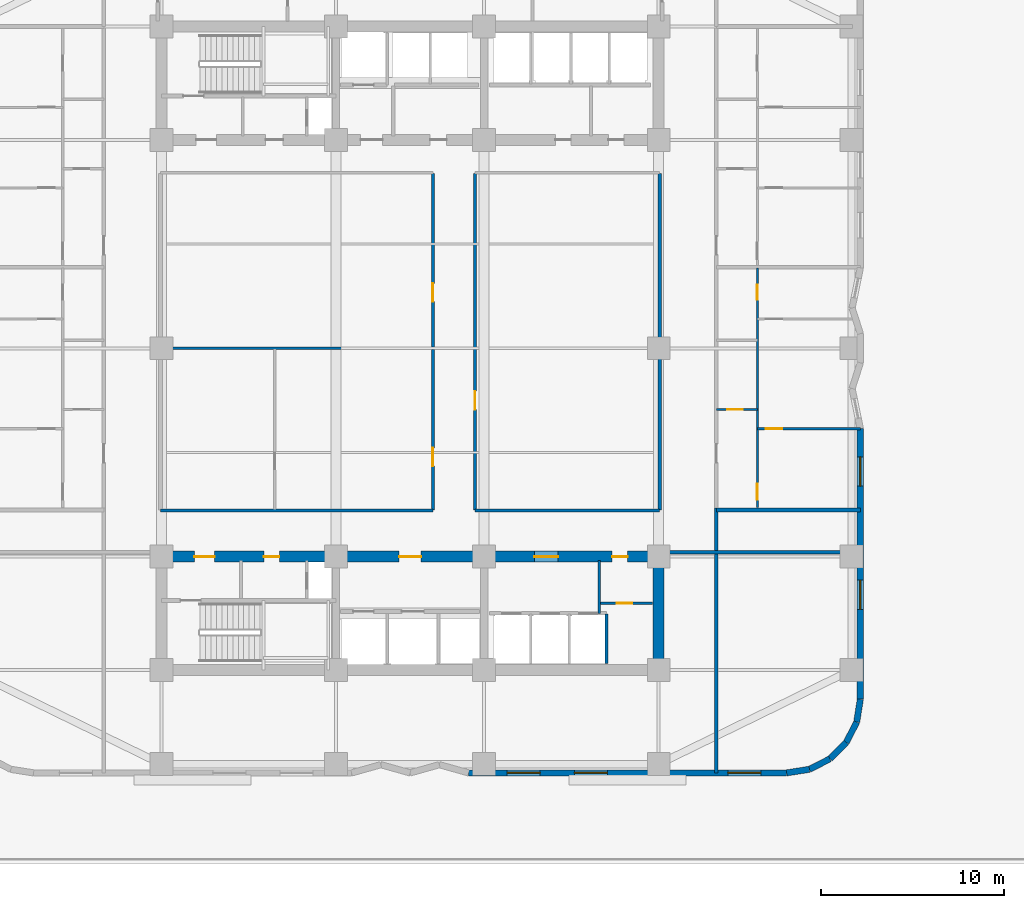
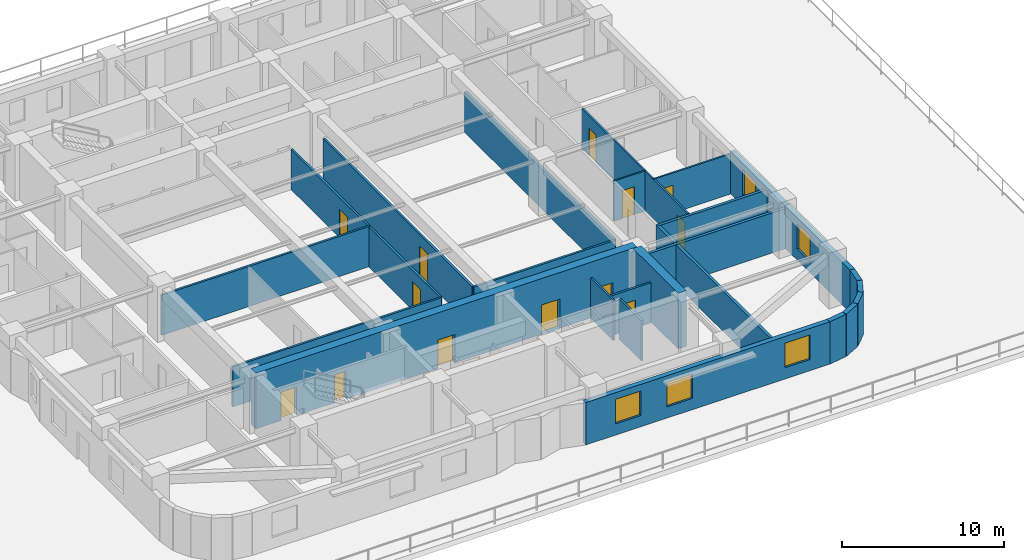
# One storey, part 4 of 11: 24 walls, 13 doors, 5 windows, 18 openings.
"""IFC4 building model written with IfcOpenShell, lengths in metres."""

from ifc_helpers import new_model, si_unit, direction, frame, frame_2d, origin, place, context, subcontext, project, spatial, rectangle, extrude, material, layer, layer_set, type_object, element, fill, save


model = new_model("IFC4")

# Units and contexts
model_context = context("Model", 3, precision=1e-05, world=origin(), true_north=direction((0.0, 1.0)))
body_context = subcontext(model_context, "Body", "Model", "MODEL_VIEW")
ifc_project = project(units=[si_unit("LENGTHUNIT", "METRE"), si_unit("AREAUNIT", "SQUARE_METRE"), si_unit("VOLUMEUNIT", "CUBIC_METRE"), si_unit("PLANEANGLEUNIT", "RADIAN"), si_unit("MASSUNIT", "GRAM", prefix="KILO")], contexts=[model_context])

# Site, building, storey
site_placement = place(None, origin())
site = spatial("IfcSite", under=ifc_project, at=site_placement, CompositionType="ELEMENT")
building_placement = place(site_placement, origin())
building = spatial("IfcBuilding", under=site, at=building_placement, Name="Svetorya Sky Lyceum", CompositionType="ELEMENT")
storey_placement = place(building_placement, frame((0.0, 0.0, 24.60009765625)))
storey = spatial("IfcBuildingStorey", under=building, at=storey_placement, Name="L05", CompositionType="ELEMENT", Elevation=24.60009765625)

# Wall
ifc_material_1 = material(Name="Concrete C60/75", Category="concrete")
ifc_layer_1 = layer(ifc_material_1, 0.60009765625)
ifc_layer_set_1 = layer_set([ifc_layer_1], Name="Concrete C60/75")
wall_type_1 = type_object("IfcWallType", Name="WL-CORE-600", PredefinedType="SHEAR", material=ifc_layer_set_1)
wall_1_placement = place(storey_placement, frame((52.800048828125, 10.89990234375, 0.0), z_axis=(0.0, 0.0, 1.0), x_axis=(0.0, 1.0, 0.0)))
element("IfcWall", 1, at=wall_1_placement, inside=storey, type_object=wall_type_1, Name="L05 SC East Core Shear Wall", PredefinedType="SHEAR", context=body_context, shape_type="SweptSolid", body=[
    extrude(rectangle(XDim=5.60009765625, YDim=0.60009765625, at=frame_2d((2.800048828125, 0.0))), origin(), (0.0, 0.0, 1.0), 4.199951171875),
])

# Wall, openings, doors
wall_2_placement = place(storey_placement, frame((25.60009765625, 16.800048828125, 0.0), z_axis=(0.0, 0.0, 1.0), x_axis=(1.0, 0.0, 0.0)))
wall_2 = element("IfcWall", 2, at=wall_2_placement, inside=storey, type_object=wall_type_1, Name="L05 SC Inner Core Shear Wall", PredefinedType="SHEAR", context=body_context, shape_type="SweptSolid", body=[
    extrude(rectangle(XDim=27.199951171875, YDim=0.60009765625, at=frame_2d((13.60009765625, 0.0))), origin(), (0.0, 0.0, 1.0), 4.199951171875),
])
opening_1_placement = place(wall_2_placement, frame((1.800048828125, 0.0, 0.0)))
opening_1 = element("IfcOpeningElement", 3, at=opening_1_placement, cuts=wall_2, Name="Opening D-ST1", PredefinedType="OPENING", context=body_context, shape_type="SweptSolid", body=[
    extrude(rectangle(XDim=1.10009765625, YDim=2.14990234375, at=frame_2d((0.550048828125, 1.074951171875))), frame((0.0, 0.31005859375, 0.0), z_axis=(0.0, -1.0, 0.0), x_axis=(1.0, 0.0, 0.0)), (0.0, 0.0, 1.0), 0.6201171875),
])
opening_2_placement = place(wall_2_placement, frame((5.60009765625, 0.0, 0.0)))
opening_2 = element("IfcOpeningElement", 4, at=opening_2_placement, cuts=wall_2, Name="Opening D-CWC1", PredefinedType="OPENING", context=body_context, shape_type="SweptSolid", body=[
    extrude(rectangle(XDim=0.85009765625, YDim=2.10009765625, at=frame_2d((0.425048828125, 1.050048828125))), frame((0.0, 0.31005859375, 0.0), z_axis=(0.0, -1.0, 0.0), x_axis=(1.0, 0.0, 0.0)), (0.0, 0.0, 1.0), 0.6201171875),
])
opening_3_placement = place(wall_2_placement, frame((13.0, 0.0, 0.0)))
opening_3 = element("IfcOpeningElement", 5, at=opening_3_placement, cuts=wall_2, Name="Opening D-FL1", PredefinedType="OPENING", context=body_context, shape_type="SweptSolid", body=[
    extrude(rectangle(XDim=1.199951171875, YDim=2.14990234375, at=frame_2d((0.60009765625, 1.074951171875))), frame((0.0, 0.31005859375, 0.0), z_axis=(0.0, -1.0, 0.0), x_axis=(1.0, 0.0, 0.0)), (0.0, 0.0, 1.0), 0.6201171875),
])
opening_4_placement = place(wall_2_placement, frame((20.39990234375, 0.0, 0.0)))
opening_4 = element("IfcOpeningElement", 6, at=opening_4_placement, cuts=wall_2, Name="Opening D-LB1", PredefinedType="OPENING", context=body_context, shape_type="SweptSolid", body=[
    extrude(rectangle(XDim=1.300048828125, YDim=2.199951171875, at=frame_2d((0.64990234375, 1.10009765625))), frame((0.0, 0.31005859375, 0.0), z_axis=(0.0, -1.0, 0.0), x_axis=(1.0, 0.0, 0.0)), (0.0, 0.0, 1.0), 0.6201171875),
])
opening_5_placement = place(wall_2_placement, frame((24.64990234375, 0.0, 0.0)))
opening_5 = element("IfcOpeningElement", 7, at=opening_5_placement, cuts=wall_2, Name="Opening D-CWC1", PredefinedType="OPENING", context=body_context, shape_type="SweptSolid", body=[
    extrude(rectangle(XDim=0.85009765625, YDim=2.10009765625, at=frame_2d((0.425048828125, 1.050048828125))), frame((0.0, 0.31005859375, 0.0), z_axis=(0.0, -1.0, 0.0), x_axis=(1.0, 0.0, 0.0)), (0.0, 0.0, 1.0), 0.6201171875),
])
ifc_material_2 = material(Name="Fire-rated galvanized steel core service closet door", Category="steel")
door_type_1 = type_object("IfcDoorType", Name="DR-CWET-850", OperationType="SINGLE_SWING_LEFT", PredefinedType="DOOR", material=ifc_material_2)
door_1_placement = place(opening_2_placement, origin())
door_1 = element("IfcDoor", 8, at=door_1_placement, inside=storey, type_object=door_type_1, Name="L05 South Hydrant Room Door", OperationType="SINGLE_SWING_LEFT", OverallHeight=2.10009765625, OverallWidth=0.85009765625, PredefinedType="DOOR", context=body_context, shape_type="SweptSolid", body=[
    extrude(rectangle(XDim=0.85009765625, YDim=2.10009765625, at=frame_2d((0.425048828125, 1.050048828125))), frame((0.0, 0.02490234375, 0.0), z_axis=(0.0, -1.0, 0.0), x_axis=(1.0, 0.0, 0.0)), (0.0, 0.0, 1.0), 0.050048828125),
])
fill(opening_2, door_1)
door_2_placement = place(opening_5_placement, origin())
door_2 = element("IfcDoor", 9, at=door_2_placement, inside=storey, type_object=door_type_1, Name="L05 South Core Auxiliary Door", OperationType="SINGLE_SWING_LEFT", OverallHeight=2.10009765625, OverallWidth=0.85009765625, PredefinedType="DOOR", context=body_context, shape_type="SweptSolid", body=[
    extrude(rectangle(XDim=0.85009765625, YDim=2.10009765625, at=frame_2d((0.425048828125, 1.050048828125))), frame((0.0, 0.02490234375, 0.0), z_axis=(0.0, -1.0, 0.0), x_axis=(1.0, 0.0, 0.0)), (0.0, 0.0, 1.0), 0.050048828125),
])
fill(opening_5, door_2)
ifc_material_3 = material(Name="Powder-coated insulated galvanized stair fire door")
door_type_2 = type_object("IfcDoorType", Name="DR-FIRE-1100", OperationType="SINGLE_SWING_LEFT", PredefinedType="DOOR", material=ifc_material_3)
door_3_placement = place(opening_1_placement, origin())
door_3 = element("IfcDoor", 10, at=door_3_placement, inside=storey, type_object=door_type_2, Name="L05 South Stair Airlock Door", OperationType="SINGLE_SWING_RIGHT", OverallHeight=2.14990234375, OverallWidth=1.10009765625, PredefinedType="DOOR", context=body_context, shape_type="SweptSolid", body=[
    extrude(rectangle(XDim=1.10009765625, YDim=2.14990234375, at=frame_2d((0.550048828125, 1.074951171875))), frame((0.0, 0.02490234375, 0.0), z_axis=(0.0, -1.0, 0.0), x_axis=(1.0, 0.0, 0.0)), (0.0, 0.0, 1.0), 0.050048828125),
])
fill(opening_1, door_3)
ifc_material_4 = material(Name="Powder-coated insulated galvanized fire door")
door_type_3 = type_object("IfcDoorType", Name="DR-FIRE-1200", OperationType="SINGLE_SWING_LEFT", PredefinedType="DOOR", material=ifc_material_4)
door_4_placement = place(opening_3_placement, origin())
door_4 = element("IfcDoor", 11, at=door_4_placement, inside=storey, type_object=door_type_3, Name="L05 South Firefighting Lift Lobby Door", OperationType="SINGLE_SWING_LEFT", OverallHeight=2.14990234375, OverallWidth=1.199951171875, PredefinedType="DOOR", context=body_context, shape_type="SweptSolid", body=[
    extrude(rectangle(XDim=1.199951171875, YDim=2.14990234375, at=frame_2d((0.60009765625, 1.074951171875))), frame((0.0, 0.02490234375, 0.0), z_axis=(0.0, -1.0, 0.0), x_axis=(1.0, 0.0, 0.0)), (0.0, 0.0, 1.0), 0.050048828125),
])
fill(opening_3, door_4)
ifc_material_5 = material(Name="Glazed fire-rated aluminium lobby door", Category="aluminium")
door_type_4 = type_object("IfcDoorType", Name="DR-LOB-1300", OperationType="SINGLE_SWING_LEFT", PredefinedType="DOOR", material=ifc_material_5)
door_5_placement = place(opening_4_placement, origin())
door_5 = element("IfcDoor", 12, at=door_5_placement, inside=storey, type_object=door_type_4, Name="L05 Low-Rise Lift Lobby Door", OperationType="SINGLE_SWING_RIGHT", OverallHeight=2.199951171875, OverallWidth=1.300048828125, PredefinedType="DOOR", context=body_context, shape_type="SweptSolid", body=[
    extrude(rectangle(XDim=1.300048828125, YDim=2.199951171875, at=frame_2d((0.64990234375, 1.10009765625))), frame((0.0, 0.02490234375, 0.0), z_axis=(0.0, -1.0, 0.0), x_axis=(1.0, 0.0, 0.0)), (0.0, 0.0, 1.0), 0.050048828125),
])
fill(opening_4, door_5)

# Wall, openings, windows
ifc_material_6 = material(Name="Putilovo limestone rainscreen on autoclaved cellular masonry", Category="masonry")
ifc_layer_2 = layer(ifc_material_6, 0.340087890625)
ifc_layer_set_2 = layer_set([ifc_layer_2], Name="Putilovo limestone rainscreen on autoclaved cellular masonry")
wall_type_2 = type_object("IfcWallType", Name="WL-EXT-340", PredefinedType="SOLIDWALL", material=ifc_layer_set_2)
wall_3_placement = place(storey_placement, frame((42.39990234375, 4.969970703125, 0.0), z_axis=(0.0, 0.0, 1.0), x_axis=(1.0, 0.0, 0.0)))
wall_3 = element("IfcWall", 13, at=wall_3_placement, inside=storey, type_object=wall_type_2, Name="L05 Limestone Exterior Wall 11M", PredefinedType="SOLIDWALL", context=body_context, shape_type="SweptSolid", body=[
    extrude(rectangle(XDim=17.400146484375, YDim=0.340087890625, at=frame_2d((8.7001953125, 0.0))), origin(), (0.0, 0.0, 1.0), 3.199951171875),
])
opening_6_placement = place(wall_3_placement, frame((2.112548828125, 0.0, 0.85009765625)))
opening_6 = element("IfcOpeningElement", 14, at=opening_6_placement, cuts=wall_3, Name="Opening W-R1", PredefinedType="OPENING", context=body_context, shape_type="SweptSolid", body=[
    extrude(rectangle(XDim=1.800048828125, YDim=1.85009765625, at=frame_2d((0.89990234375, 0.925048828125))), frame((0.0, 0.179931640625, 0.0), z_axis=(0.0, -1.0, 0.0), x_axis=(1.0, 0.0, 0.0)), (0.0, 0.0, 1.0), 0.360107421875),
])
opening_7_placement = place(wall_3_placement, frame((5.78759765625, 0.0, 0.85009765625)))
opening_7 = element("IfcOpeningElement", 15, at=opening_7_placement, cuts=wall_3, Name="Opening W-R1", PredefinedType="OPENING", context=body_context, shape_type="SweptSolid", body=[
    extrude(rectangle(XDim=1.800048828125, YDim=1.85009765625, at=frame_2d((0.89990234375, 0.925048828125))), frame((0.0, 0.179931640625, 0.0), z_axis=(0.0, -1.0, 0.0), x_axis=(1.0, 0.0, 0.0)), (0.0, 0.0, 1.0), 0.360107421875),
])
opening_8_placement = place(wall_3_placement, frame((14.1875, 0.0, 0.85009765625)))
opening_8 = element("IfcOpeningElement", 16, at=opening_8_placement, cuts=wall_3, Name="Opening W-R1", PredefinedType="OPENING", context=body_context, shape_type="SweptSolid", body=[
    extrude(rectangle(XDim=1.800048828125, YDim=1.85009765625, at=frame_2d((0.89990234375, 0.925048828125))), frame((0.0, 0.179931640625, 0.0), z_axis=(0.0, -1.0, 0.0), x_axis=(1.0, 0.0, 0.0)), (0.0, 0.0, 1.0), 0.360107421875),
])
ifc_material_7 = material(Name="Thermally broken aluminium frame with triple low-E glazing", Category="aluminium")
window_type_1 = type_object("IfcWindowType", Name="WN-RES-180", PartitioningType="DOUBLE_PANEL_VERTICAL", PredefinedType="WINDOW", material=ifc_material_7)
window_1_placement = place(opening_6_placement, origin())
window_1 = element("IfcWindow", 17, at=window_1_placement, inside=storey, type_object=window_type_1, Name="L05 Facade Window W-R1.11M.1", OverallHeight=1.85009765625, OverallWidth=1.800048828125, PartitioningType="SINGLE_PANEL", PredefinedType="WINDOW", context=body_context, shape_type="SweptSolid", body=[
    extrude(rectangle(XDim=1.800048828125, YDim=1.85009765625, at=frame_2d((0.89990234375, 0.925048828125))), frame((0.0, 0.030029296875, 0.0), z_axis=(0.0, -1.0, 0.0), x_axis=(1.0, 0.0, 0.0)), (0.0, 0.0, 1.0), 0.06005859375),
])
fill(opening_6, window_1)
window_2_placement = place(opening_7_placement, origin())
window_2 = element("IfcWindow", 18, at=window_2_placement, inside=storey, type_object=window_type_1, Name="L05 Facade Window W-R1.11M.2", OverallHeight=1.85009765625, OverallWidth=1.800048828125, PartitioningType="SINGLE_PANEL", PredefinedType="WINDOW", context=body_context, shape_type="SweptSolid", body=[
    extrude(rectangle(XDim=1.800048828125, YDim=1.85009765625, at=frame_2d((0.89990234375, 0.925048828125))), frame((0.0, 0.030029296875, 0.0), z_axis=(0.0, -1.0, 0.0), x_axis=(1.0, 0.0, 0.0)), (0.0, 0.0, 1.0), 0.06005859375),
])
fill(opening_7, window_2)
window_3_placement = place(opening_8_placement, origin())
window_3 = element("IfcWindow", 19, at=window_3_placement, inside=storey, type_object=window_type_1, Name="L05 Facade Window W-R1.11M.3", OverallHeight=1.85009765625, OverallWidth=1.800048828125, PartitioningType="SINGLE_PANEL", PredefinedType="WINDOW", context=body_context, shape_type="SweptSolid", body=[
    extrude(rectangle(XDim=1.800048828125, YDim=1.85009765625, at=frame_2d((0.89990234375, 0.925048828125))), frame((0.0, 0.030029296875, 0.0), z_axis=(0.0, -1.0, 0.0), x_axis=(1.0, 0.0, 0.0)), (0.0, 0.0, 1.0), 0.06005859375),
])
fill(opening_8, window_3)

# Walls
wall_4_placement = place(storey_placement, frame((59.800048828125, 4.969970703125, 0.0), z_axis=(0.0, 0.0, 1.0), x_axis=(0.987685918112, 0.15644975923, 0.0)))
element("IfcWall", 20, at=wall_4_placement, inside=storey, type_object=wall_type_2, Name="L05 Limestone Exterior Wall 12M", PredefinedType="SOLIDWALL", context=body_context, shape_type="SweptSolid", body=[
    extrude(rectangle(XDim=1.260986328125, YDim=0.340087890625, at=frame_2d((0.63037109375, 0.0))), origin(), (0.0, 0.0, 1.0), 3.199951171875),
])
for number, where, z_axis, x_axis, name in (
    (21, (61.04541015625, 5.167236328125, 0.0), (0.0, 0.0, 1.0), (0.890953769915, 0.454094020963, 0.0), "L05 Limestone Exterior Wall 13M"),
    (22, (62.168701171875, 5.73974609375, 0.0), (0.0, 0.0, 1.0), (0.707203598708, 0.707009950407, 0.0), "L05 Limestone Exterior Wall 14M"),
):
    element("IfcWall", number, at=place(storey_placement, frame(where, z_axis=z_axis, x_axis=x_axis)), inside=storey, type_object=wall_type_2, Name=name, PredefinedType="SOLIDWALL", context=body_context, shape_type="SweptSolid", body=[
        extrude(rectangle(XDim=1.2607421875, YDim=0.340087890625, at=frame_2d((0.63037109375, 0.0))), origin(), (0.0, 0.0, 1.0), 3.199951171875),
    ])
for number, where, z_axis, x_axis, name in (
    (23, (63.060302734375, 6.631103515625, 0.0), (0.0, 0.0, 1.0), (0.454015689056, 0.890993689142, 0.0), "L05 Limestone Exterior Wall 15M"),
    (24, (63.6328125, 7.754638671875, 0.0), (0.0, 0.0, 1.0), (0.15644975923, 0.987685918112, 0.0), "L05 Limestone Exterior Wall 16M"),
):
    element("IfcWall", number, at=place(storey_placement, frame(where, z_axis=z_axis, x_axis=x_axis)), inside=storey, type_object=wall_type_2, Name=name, PredefinedType="SOLIDWALL", context=body_context, shape_type="SweptSolid", body=[
        extrude(rectangle(XDim=1.260986328125, YDim=0.340087890625, at=frame_2d((0.63037109375, 0.0))), origin(), (0.0, 0.0, 1.0), 3.199951171875),
    ])

# Wall, openings, windows
wall_5_placement = place(storey_placement, frame((63.830078125, 9.0, 0.0), z_axis=(0.0, 0.0, 1.0), x_axis=(0.0, 1.0, 0.0)))
wall_5 = element("IfcWall", 25, at=wall_5_placement, inside=storey, type_object=wall_type_2, Name="L05 Limestone Exterior Wall 17M", PredefinedType="SOLIDWALL", context=body_context, shape_type="SweptSolid", body=[
    extrude(rectangle(XDim=14.800048828125, YDim=0.340087890625, at=frame_2d((7.39990234375, 0.0))), origin(), (0.0, 0.0, 1.0), 3.199951171875),
])
opening_9_placement = place(wall_5_placement, frame((4.91259765625, 0.0, 0.85009765625)))
opening_9 = element("IfcOpeningElement", 26, at=opening_9_placement, cuts=wall_5, Name="Opening W-R4", PredefinedType="OPENING", context=body_context, shape_type="SweptSolid", body=[
    extrude(rectangle(XDim=1.60009765625, YDim=1.89990234375, at=frame_2d((0.800048828125, 0.949951171875))), frame((0.0, 0.179931640625, 0.0), z_axis=(0.0, -1.0, 0.0), x_axis=(1.0, 0.0, 0.0)), (0.0, 0.0, 1.0), 0.360107421875),
])
opening_10_placement = place(wall_5_placement, frame((11.66259765625, 0.0, 0.85009765625)))
opening_10 = element("IfcOpeningElement", 27, at=opening_10_placement, cuts=wall_5, Name="Opening W-R4", PredefinedType="OPENING", context=body_context, shape_type="SweptSolid", body=[
    extrude(rectangle(XDim=1.60009765625, YDim=1.89990234375, at=frame_2d((0.800048828125, 0.949951171875))), frame((0.0, 0.179931640625, 0.0), z_axis=(0.0, -1.0, 0.0), x_axis=(1.0, 0.0, 0.0)), (0.0, 0.0, 1.0), 0.360107421875),
])
window_type_2 = type_object("IfcWindowType", Name="WN-RES-160", PartitioningType="DOUBLE_PANEL_VERTICAL", PredefinedType="WINDOW", material=ifc_material_7)
window_4_placement = place(opening_9_placement, origin())
window_4 = element("IfcWindow", 28, at=window_4_placement, inside=storey, type_object=window_type_2, Name="L05 Facade Window W-R4.17M.1", OverallHeight=1.89990234375, OverallWidth=1.60009765625, PartitioningType="SINGLE_PANEL", PredefinedType="WINDOW", context=body_context, shape_type="SweptSolid", body=[
    extrude(rectangle(XDim=1.60009765625, YDim=1.89990234375, at=frame_2d((0.800048828125, 0.949951171875))), frame((0.0, 0.030029296875, 0.0), z_axis=(0.0, -1.0, 0.0), x_axis=(1.0, 0.0, 0.0)), (0.0, 0.0, 1.0), 0.06005859375),
])
fill(opening_9, window_4)
window_5_placement = place(opening_10_placement, origin())
window_5 = element("IfcWindow", 29, at=window_5_placement, inside=storey, type_object=window_type_2, Name="L05 Facade Window W-R4.17M.2", OverallHeight=1.89990234375, OverallWidth=1.60009765625, PartitioningType="SINGLE_PANEL", PredefinedType="WINDOW", context=body_context, shape_type="SweptSolid", body=[
    extrude(rectangle(XDim=1.60009765625, YDim=1.89990234375, at=frame_2d((0.800048828125, 0.949951171875))), frame((0.0, 0.030029296875, 0.0), z_axis=(0.0, -1.0, 0.0), x_axis=(1.0, 0.0, 0.0)), (0.0, 0.0, 1.0), 0.06005859375),
])
fill(opening_10, window_5)

# Wall, opening, door
ifc_material_8 = material(Name="Twin-stud galvanized framing with double fireboard", Category="gypsum")
ifc_layer_3 = layer(ifc_material_8, 0.1201171875)
ifc_layer_set_3 = layer_set([ifc_layer_3], Name="Twin-stud galvanized framing with double fireboard")
wall_type_3 = type_object("IfcWallType", Name="WL-PART-120", PredefinedType="PARTITIONING", material=ifc_layer_set_3)
wall_6_placement = place(storey_placement, frame((55.949951171875, 24.85009765625, 0.0), z_axis=(0.0, 0.0, 1.0), x_axis=(1.0, 0.0, 0.0)))
wall_6 = element("IfcWall", 30, at=wall_6_placement, inside=storey, type_object=wall_type_3, Name="L05 Interior Partition E1-WH1", PredefinedType="PARTITIONING", context=body_context, shape_type="SweptSolid", body=[
    extrude(rectangle(XDim=2.25, YDim=0.1201171875, at=frame_2d((1.125, 0.0))), origin(), (0.0, 0.0, 1.0), 3.02978515625),
])
opening_11_placement = place(wall_6_placement, frame((0.60009765625, 0.0, 0.0)))
opening_11 = element("IfcOpeningElement", 31, at=opening_11_placement, cuts=wall_6, Name="Opening D-BT1", PredefinedType="OPENING", context=body_context, shape_type="SweptSolid", body=[
    extrude(rectangle(XDim=0.85009765625, YDim=2.10009765625, at=frame_2d((0.425048828125, 1.050048828125))), frame((0.0, 0.070068359375, 0.0), z_axis=(0.0, -1.0, 0.0), x_axis=(1.0, 0.0, 0.0)), (0.0, 0.0, 1.0), 0.14013671875),
])
ifc_material_9 = material(Name="Moisture-resistant laminate bathroom door")
door_type_5 = type_object("IfcDoorType", Name="DR-WET-850", OperationType="SINGLE_SWING_LEFT", PredefinedType="DOOR", material=ifc_material_9)
door_6_placement = place(opening_11_placement, origin())
door_6 = element("IfcDoor", 32, at=door_6_placement, inside=storey, type_object=door_type_5, Name="Apartment E1 Bathroom Door", OperationType="SINGLE_SWING_RIGHT", OverallHeight=2.10009765625, OverallWidth=0.85009765625, PredefinedType="DOOR", context=body_context, shape_type="SweptSolid", body=[
    extrude(rectangle(XDim=0.85009765625, YDim=2.10009765625, at=frame_2d((0.425048828125, 1.050048828125))), frame((0.0, 0.02490234375, 0.0), z_axis=(0.0, -1.0, 0.0), x_axis=(1.0, 0.0, 0.0)), (0.0, 0.0, 1.0), 0.050048828125),
])
fill(opening_11, door_6)

wall_7_placement = place(storey_placement, frame((58.199951171875, 23.800048828125, 0.0), z_axis=(0.0, 0.0, 1.0), x_axis=(1.0, 0.0, 0.0)))
wall_7 = element("IfcWall", 33, at=wall_7_placement, inside=storey, type_object=wall_type_3, Name="L05 Interior Partition E1-WL1", PredefinedType="PARTITIONING", context=body_context, shape_type="SweptSolid", body=[
    extrude(rectangle(XDim=5.630126953125, YDim=0.1201171875, at=frame_2d((2.81494140625, 0.0))), origin(), (0.0, 0.0, 1.0), 3.02978515625),
])
opening_12_placement = place(wall_7_placement, frame((0.449951171875, 0.0, 0.0)))
opening_12 = element("IfcOpeningElement", 34, at=opening_12_placement, cuts=wall_7, Name="Opening D-RM1", PredefinedType="OPENING", context=body_context, shape_type="SweptSolid", body=[
    extrude(rectangle(XDim=0.89990234375, YDim=2.10009765625, at=frame_2d((0.449951171875, 1.050048828125))), frame((0.0, 0.070068359375, 0.0), z_axis=(0.0, -1.0, 0.0), x_axis=(1.0, 0.0, 0.0)), (0.0, 0.0, 1.0), 0.14013671875),
])
ifc_material_10 = material(Name="Lacquered birch veneer internal door")
door_type_6 = type_object("IfcDoorType", Name="DR-INT-900", OperationType="SINGLE_SWING_LEFT", PredefinedType="DOOR", material=ifc_material_10)
door_7_placement = place(opening_12_placement, origin())
door_7 = element("IfcDoor", 35, at=door_7_placement, inside=storey, type_object=door_type_6, Name="Apartment E1 Master Bedroom Door", OperationType="SINGLE_SWING_RIGHT", OverallHeight=2.10009765625, OverallWidth=0.89990234375, PredefinedType="DOOR", context=body_context, shape_type="SweptSolid", body=[
    extrude(rectangle(XDim=0.89990234375, YDim=2.10009765625, at=frame_2d((0.449951171875, 1.050048828125))), frame((0.0, 0.02490234375, 0.0), z_axis=(0.0, -1.0, 0.0), x_axis=(1.0, 0.0, 0.0)), (0.0, 0.0, 1.0), 0.050048828125),
])
fill(opening_12, door_7)

# Wall, openings, doors
wall_8_placement = place(storey_placement, frame((58.199951171875, 19.489990234375, 0.0), z_axis=(0.0, 0.0, 1.0), x_axis=(0.0, 1.0, 0.0)))
wall_8 = element("IfcWall", 36, at=wall_8_placement, inside=storey, type_object=wall_type_3, Name="L05 Interior Partition E1-WV", PredefinedType="PARTITIONING", context=body_context, shape_type="SweptSolid", body=[
    extrude(rectangle(XDim=13.094970703125, YDim=0.1201171875, at=frame_2d((6.54736328125, 0.0))), origin(), (0.0, 0.0, 1.0), 3.02978515625),
])
opening_13_placement = place(wall_8_placement, frame((0.409912109375, 0.0, 0.0)))
opening_13 = element("IfcOpeningElement", 37, at=opening_13_placement, cuts=wall_8, Name="Opening D-RM1", PredefinedType="OPENING", context=body_context, shape_type="SweptSolid", body=[
    extrude(rectangle(XDim=0.89990234375, YDim=2.10009765625, at=frame_2d((0.449951171875, 1.050048828125))), frame((0.0, 0.070068359375, 0.0), z_axis=(0.0, -1.0, 0.0), x_axis=(1.0, 0.0, 0.0)), (0.0, 0.0, 1.0), 0.14013671875),
])
opening_14_placement = place(wall_8_placement, frame((11.360107421875, 0.0, 0.0)))
opening_14 = element("IfcOpeningElement", 38, at=opening_14_placement, cuts=wall_8, Name="Opening D-BT2", PredefinedType="OPENING", context=body_context, shape_type="SweptSolid", body=[
    extrude(rectangle(XDim=0.820068359375, YDim=2.080078125, at=frame_2d((0.41015625, 1.0400390625))), frame((0.0, 0.070068359375, 0.0), z_axis=(0.0, -1.0, 0.0), x_axis=(1.0, 0.0, 0.0)), (0.0, 0.0, 1.0), 0.14013671875),
])
door_8_placement = place(opening_13_placement, origin())
door_8 = element("IfcDoor", 39, at=door_8_placement, inside=storey, type_object=door_type_6, Name="Apartment E1 Living Door", OperationType="SINGLE_SWING_LEFT", OverallHeight=2.10009765625, OverallWidth=0.89990234375, PredefinedType="DOOR", context=body_context, shape_type="SweptSolid", body=[
    extrude(rectangle(XDim=0.89990234375, YDim=2.10009765625, at=frame_2d((0.449951171875, 1.050048828125))), frame((0.0, 0.02490234375, 0.0), z_axis=(0.0, -1.0, 0.0), x_axis=(1.0, 0.0, 0.0)), (0.0, 0.0, 1.0), 0.050048828125),
])
fill(opening_13, door_8)
ifc_material_11 = material(Name="Compact moisture-resistant laminate closet door")
door_type_7 = type_object("IfcDoorType", Name="DR-WET-820", OperationType="SINGLE_SWING_LEFT", PredefinedType="DOOR", material=ifc_material_11)
door_9_placement = place(opening_14_placement, origin())
door_9 = element("IfcDoor", 40, at=door_9_placement, inside=storey, type_object=door_type_7, Name="Apartment E1 Study Door", OperationType="SINGLE_SWING_RIGHT", OverallHeight=2.080078125, OverallWidth=0.820068359375, PredefinedType="DOOR", context=body_context, shape_type="SweptSolid", body=[
    extrude(rectangle(XDim=0.820068359375, YDim=2.080078125, at=frame_2d((0.41015625, 1.0400390625))), frame((0.0, 0.02490234375, 0.0), z_axis=(0.0, -1.0, 0.0), x_axis=(1.0, 0.0, 0.0)), (0.0, 0.0, 1.0), 0.050048828125),
])
fill(opening_14, door_9)

# Walls
ifc_material_12 = material(Name="Autoclaved cellular masonry blockwork with acoustic render", Category="masonry")
ifc_layer_4 = layer(ifc_material_12, 0.14990234375)
ifc_layer_set_4 = layer_set([ifc_layer_4], Name="Autoclaved cellular masonry blockwork with acoustic render")
wall_type_4 = type_object("IfcWallType", Name="WL-PART-150", PredefinedType="PARTITIONING", material=ifc_layer_set_4)
wall_9_placement = place(storey_placement, frame((49.949951171875, 10.949951171875, 0.0), z_axis=(0.0, 0.0, 1.0), x_axis=(0.0, 1.0, 0.0)))
element("IfcWall", 41, at=wall_9_placement, inside=storey, type_object=wall_type_4, Name="L05 Interior Partition SC-PL-END", PredefinedType="PARTITIONING", context=body_context, shape_type="SweptSolid", body=[
    extrude(rectangle(XDim=2.699951171875, YDim=0.14990234375, at=frame_2d((1.35009765625, 0.0))), origin(), (0.0, 0.0, 1.0), 3.02978515625),
])
wall_10_placement = place(storey_placement, frame((49.550048828125, 13.699951171875, 0.0), z_axis=(0.0, 0.0, 1.0), x_axis=(0.0, 1.0, 0.0)))
element("IfcWall", 42, at=wall_10_placement, inside=storey, type_object=wall_type_4, Name="L05 Interior Partition SC-AUX-V", PredefinedType="PARTITIONING", context=body_context, shape_type="SweptSolid", body=[
    extrude(rectangle(XDim=2.880126953125, YDim=0.14990234375, at=frame_2d((1.43994140625, 0.0))), origin(), (0.0, 0.0, 1.0), 3.02978515625),
])

# Wall, opening, door
wall_11_placement = place(storey_placement, frame((49.60009765625, 14.25, 0.0), z_axis=(0.0, 0.0, 1.0), x_axis=(1.0, 0.0, 0.0)))
wall_11 = element("IfcWall", 43, at=wall_11_placement, inside=storey, type_object=wall_type_4, Name="L05 Interior Partition SC-AUX-H2", PredefinedType="PARTITIONING", context=body_context, shape_type="SweptSolid", body=[
    extrude(rectangle(XDim=2.849853515625, YDim=0.14990234375, at=frame_2d((1.4248046875, 0.0))), origin(), (0.0, 0.0, 1.0), 3.02978515625),
])
opening_15_placement = place(wall_11_placement, frame((0.89990234375, 0.0, 0.0)))
opening_15 = element("IfcOpeningElement", 44, at=opening_15_placement, cuts=wall_11, Name="Opening D-CWC1", PredefinedType="OPENING", context=body_context, shape_type="SweptSolid", body=[
    extrude(rectangle(XDim=0.85009765625, YDim=2.10009765625, at=frame_2d((0.425048828125, 1.050048828125))), frame((0.0, 0.0849609375, 0.0), z_axis=(0.0, -1.0, 0.0), x_axis=(1.0, 0.0, 0.0)), (0.0, 0.0, 1.0), 0.169921875),
])
door_10_placement = place(opening_15_placement, origin())
door_10 = element("IfcDoor", 45, at=door_10_placement, inside=storey, type_object=door_type_1, Name="L05 South Telecom Room Door", OperationType="SINGLE_SWING_RIGHT", OverallHeight=2.10009765625, OverallWidth=0.85009765625, PredefinedType="DOOR", context=body_context, shape_type="SweptSolid", body=[
    extrude(rectangle(XDim=0.85009765625, YDim=2.10009765625, at=frame_2d((0.425048828125, 1.050048828125))), frame((0.0, 0.02490234375, 0.0), z_axis=(0.0, -1.0, 0.0), x_axis=(1.0, 0.0, 0.0)), (0.0, 0.0, 1.0), 0.050048828125),
])
fill(opening_15, door_10)

# Walls
wall_12_placement = place(storey_placement, frame((25.550048828125, 19.320068359375, 0.0), z_axis=(0.0, 0.0, 1.0), x_axis=(1.0, 0.0, 0.0)))
element("IfcWall", 46, at=wall_12_placement, inside=storey, type_object=wall_type_4, Name="L05 Interior Partition CS-MID-W", PredefinedType="PARTITIONING", context=body_context, shape_type="SweptSolid", body=[
    extrude(rectangle(XDim=14.89990234375, YDim=0.14990234375, at=frame_2d((7.449951171875, 0.0))), origin(), (0.0, 0.0, 1.0), 3.02978515625),
])
wall_13_placement = place(storey_placement, frame((42.75, 19.320068359375, 0.0), z_axis=(0.0, 0.0, 1.0), x_axis=(1.0, 0.0, 0.0)))
element("IfcWall", 47, at=wall_13_placement, inside=storey, type_object=wall_type_4, Name="L05 Interior Partition CS-MID-E", PredefinedType="PARTITIONING", context=body_context, shape_type="SweptSolid", body=[
    extrude(rectangle(XDim=10.10009765625, YDim=0.14990234375, at=frame_2d((5.050048828125, 0.0))), origin(), (0.0, 0.0, 1.0), 3.02978515625),
])
wall_14_placement = place(storey_placement, frame((25.60009765625, 28.199951171875, 0.0), z_axis=(0.0, 0.0, 1.0), x_axis=(1.0, 0.0, 0.0)))
element("IfcWall", 48, at=wall_14_placement, inside=storey, type_object=wall_type_4, Name="L05 Interior Partition CEN-HW", PredefinedType="PARTITIONING", context=body_context, shape_type="SweptSolid", body=[
    extrude(rectangle(XDim=14.869873046875, YDim=0.14990234375, at=frame_2d((7.43505859375, 0.0))), origin(), (0.0, 0.0, 1.0), 3.02978515625),
])

# Wall, openings, doors
wall_15_placement = place(storey_placement, frame((40.449951171875, 19.35009765625, 0.0), z_axis=(0.0, 0.0, 1.0), x_axis=(0.0, 1.0, 0.0)))
wall_15 = element("IfcWall", 49, at=wall_15_placement, inside=storey, type_object=wall_type_4, Name="L05 Interior Partition CEN-VW", PredefinedType="PARTITIONING", context=body_context, shape_type="SweptSolid", body=[
    extrude(rectangle(XDim=18.419921875, YDim=0.14990234375, at=frame_2d((9.2099609375, 0.0))), origin(), (0.0, 0.0, 1.0), 3.02978515625),
])
opening_16_placement = place(wall_15_placement, frame((2.39990234375, 0.0, 0.0)))
opening_16 = element("IfcOpeningElement", 50, at=opening_16_placement, cuts=wall_15, Name="Opening D-RM2", PredefinedType="OPENING", context=body_context, shape_type="SweptSolid", body=[
    extrude(rectangle(XDim=1.0, YDim=2.14990234375, at=frame_2d((0.5, 1.074951171875))), frame((0.0, 0.0849609375, 0.0), z_axis=(0.0, -1.0, 0.0), x_axis=(1.0, 0.0, 0.0)), (0.0, 0.0, 1.0), 0.169921875),
])
opening_17_placement = place(wall_15_placement, frame((11.39990234375, 0.0, 0.0)))
opening_17 = element("IfcOpeningElement", 51, at=opening_17_placement, cuts=wall_15, Name="Opening D-RM2", PredefinedType="OPENING", context=body_context, shape_type="SweptSolid", body=[
    extrude(rectangle(XDim=1.0, YDim=2.14990234375, at=frame_2d((0.5, 1.074951171875))), frame((0.0, 0.0849609375, 0.0), z_axis=(0.0, -1.0, 0.0), x_axis=(1.0, 0.0, 0.0)), (0.0, 0.0, 1.0), 0.169921875),
])
ifc_material_13 = material(Name="Solid-core oak acoustic room door")
door_type_8 = type_object("IfcDoorType", Name="DR-INT-1000", OperationType="SINGLE_SWING_LEFT", PredefinedType="DOOR", material=ifc_material_13)
door_11_placement = place(opening_16_placement, origin())
door_11 = element("IfcDoor", 52, at=door_11_placement, inside=storey, type_object=door_type_8, Name="L05 Study Door", OperationType="SINGLE_SWING_LEFT", OverallHeight=2.14990234375, OverallWidth=1.0, PredefinedType="DOOR", context=body_context, shape_type="SweptSolid", body=[
    extrude(rectangle(XDim=1.0, YDim=2.14990234375, at=frame_2d((0.5, 1.074951171875))), frame((0.0, 0.02490234375, 0.0), z_axis=(0.0, -1.0, 0.0), x_axis=(1.0, 0.0, 0.0)), (0.0, 0.0, 1.0), 0.050048828125),
])
fill(opening_16, door_11)
door_12_placement = place(opening_17_placement, origin())
door_12 = element("IfcDoor", 53, at=door_12_placement, inside=storey, type_object=door_type_8, Name="L05 Focus Door", OperationType="SINGLE_SWING_RIGHT", OverallHeight=2.14990234375, OverallWidth=1.0, PredefinedType="DOOR", context=body_context, shape_type="SweptSolid", body=[
    extrude(rectangle(XDim=1.0, YDim=2.14990234375, at=frame_2d((0.5, 1.074951171875))), frame((0.0, 0.02490234375, 0.0), z_axis=(0.0, -1.0, 0.0), x_axis=(1.0, 0.0, 0.0)), (0.0, 0.0, 1.0), 0.050048828125),
])
fill(opening_17, door_12)

# Wall, opening, door
wall_16_placement = place(storey_placement, frame((42.75, 19.35009765625, 0.0), z_axis=(0.0, 0.0, 1.0), x_axis=(0.0, 1.0, 0.0)))
wall_16 = element("IfcWall", 54, at=wall_16_placement, inside=storey, type_object=wall_type_4, Name="L05 Interior Partition CEN-VE", PredefinedType="PARTITIONING", context=body_context, shape_type="SweptSolid", body=[
    extrude(rectangle(XDim=18.419921875, YDim=0.14990234375, at=frame_2d((9.2099609375, 0.0))), origin(), (0.0, 0.0, 1.0), 3.02978515625),
])
opening_18_placement = place(wall_16_placement, frame((5.5, 0.0, 0.0)))
opening_18 = element("IfcOpeningElement", 55, at=opening_18_placement, cuts=wall_16, Name="Opening D-RM2", PredefinedType="OPENING", context=body_context, shape_type="SweptSolid", body=[
    extrude(rectangle(XDim=1.0, YDim=2.14990234375, at=frame_2d((0.5, 1.074951171875))), frame((0.0, 0.0849609375, 0.0), z_axis=(0.0, -1.0, 0.0), x_axis=(1.0, 0.0, 0.0)), (0.0, 0.0, 1.0), 0.169921875),
])
door_13_placement = place(opening_18_placement, origin())
door_13 = element("IfcDoor", 56, at=door_13_placement, inside=storey, type_object=door_type_8, Name="L05 East Hall Door", OperationType="SINGLE_SWING_RIGHT", OverallHeight=2.14990234375, OverallWidth=1.0, PredefinedType="DOOR", context=body_context, shape_type="SweptSolid", body=[
    extrude(rectangle(XDim=1.0, YDim=2.14990234375, at=frame_2d((0.5, 1.074951171875))), frame((0.0, 0.02490234375, 0.0), z_axis=(0.0, -1.0, 0.0), x_axis=(1.0, 0.0, 0.0)), (0.0, 0.0, 1.0), 0.050048828125),
])
fill(opening_18, door_13)

# Walls
ifc_material_14 = material(Name="Autoclaved cellular masonry blockwork with gypsum plaster", Category="masonry")
ifc_layer_5 = layer(ifc_material_14, 0.199951171875)
ifc_layer_set_5 = layer_set([ifc_layer_5], Name="Autoclaved cellular masonry blockwork with gypsum plaster")
wall_type_5 = type_object("IfcWallType", Name="WL-PART-200", PredefinedType="PARTITIONING", material=ifc_layer_set_5)
wall_17_placement = place(storey_placement, frame((52.85009765625, 19.35009765625, 0.0), z_axis=(0.0, 0.0, 1.0), x_axis=(0.0, 1.0, 0.0)))
element("IfcWall", 57, at=wall_17_placement, inside=storey, type_object=wall_type_5, Name="L05 Interior Partition E-CEN-SEP", PredefinedType="PARTITIONING", context=body_context, shape_type="SweptSolid", body=[
    extrude(rectangle(XDim=18.419921875, YDim=0.199951171875, at=frame_2d((9.2099609375, 0.0))), origin(), (0.0, 0.0, 1.0), 3.02978515625),
])
wall_18_placement = place(storey_placement, frame((53.10009765625, 17.050048828125, 0.0), z_axis=(0.0, 0.0, 1.0), x_axis=(1.0, 0.0, 0.0)))
element("IfcWall", 58, at=wall_18_placement, inside=storey, type_object=wall_type_5, Name="L05 Interior Partition L05-CS-SE", PredefinedType="PARTITIONING", context=body_context, shape_type="SweptSolid", body=[
    extrude(rectangle(XDim=10.72998046875, YDim=0.199951171875, at=frame_2d((5.364990234375, 0.0))), origin(), (0.0, 0.0, 1.0), 3.02978515625),
])
wall_19_placement = place(storey_placement, frame((55.949951171875, 19.35009765625, 0.0), z_axis=(0.0, 0.0, 1.0), x_axis=(1.0, 0.0, 0.0)))
element("IfcWall", 59, at=wall_19_placement, inside=storey, type_object=wall_type_5, Name="L05 Interior Partition L05-CS-NE", PredefinedType="PARTITIONING", context=body_context, shape_type="SweptSolid", body=[
    extrude(rectangle(XDim=7.880126953125, YDim=0.199951171875, at=frame_2d((3.93994140625, 0.0))), origin(), (0.0, 0.0, 1.0), 3.02978515625),
])
wall_20_placement = place(storey_placement, frame((55.949951171875, 4.969970703125, 0.0), z_axis=(0.0, 0.0, 1.0), x_axis=(0.0, 1.0, 0.0)))
element("IfcWall", 60, at=wall_20_placement, inside=storey, type_object=wall_type_5, Name="L05 Interior Partition EC-SE-END", PredefinedType="PARTITIONING", context=body_context, shape_type="SweptSolid", body=[
    extrude(rectangle(XDim=14.47998046875, YDim=0.199951171875, at=frame_2d((7.239990234375, 0.0))), origin(), (0.0, 0.0, 1.0), 3.02978515625),
])

save(model, "model.ifc")
